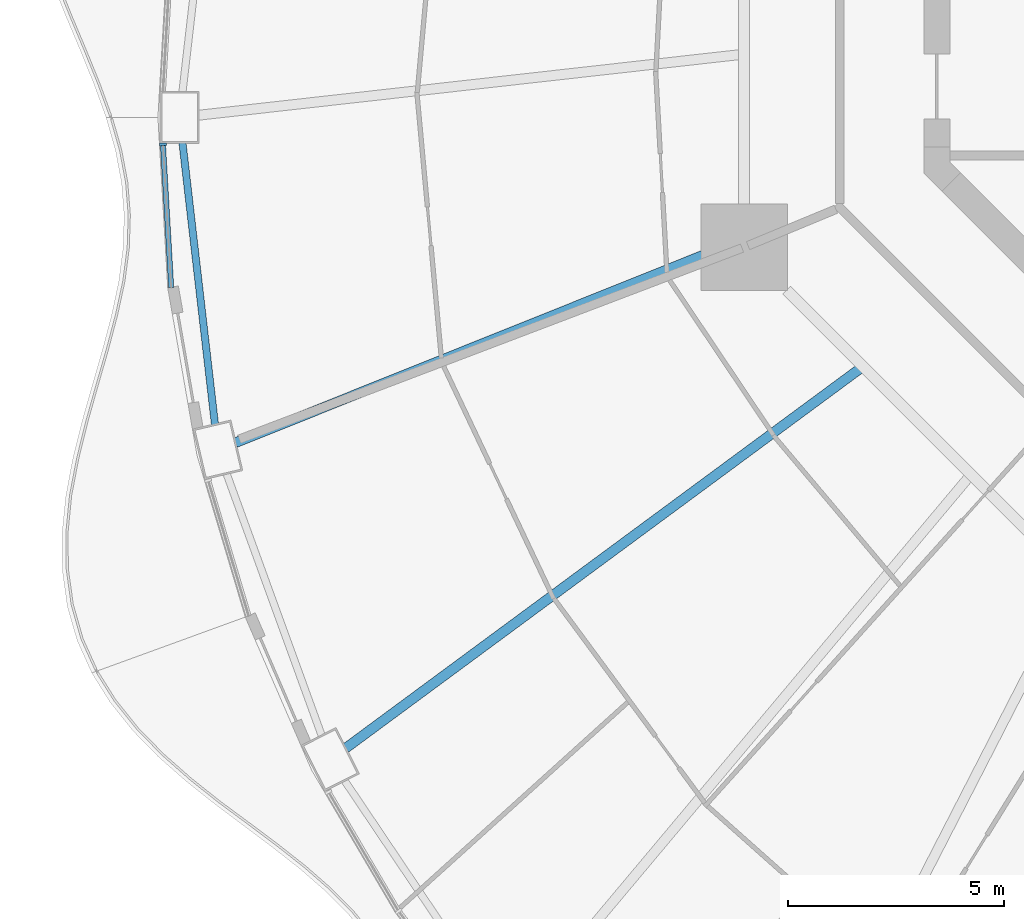
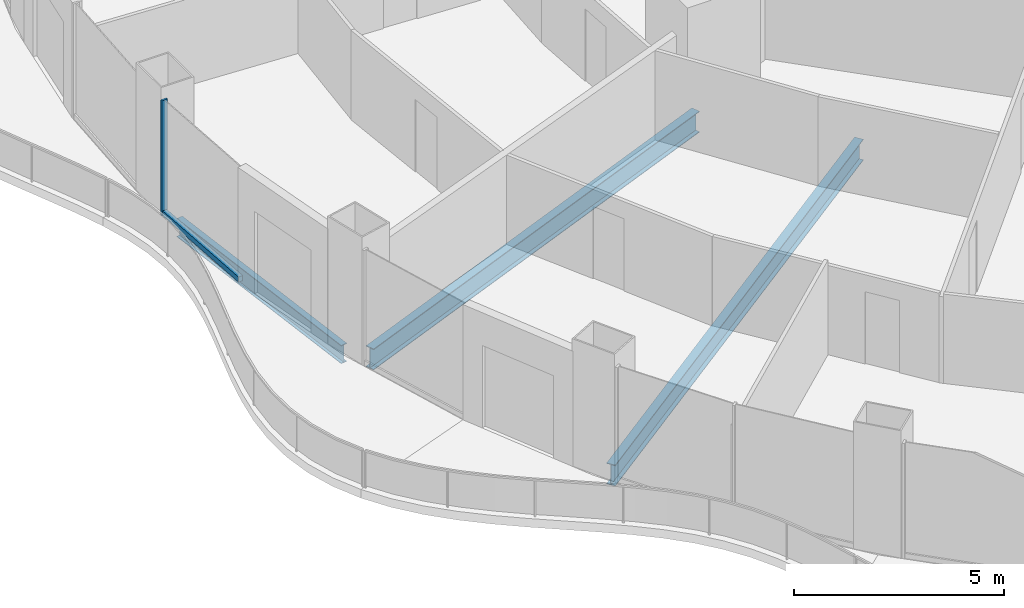
# One storey, part 4 of 21: 3 beams, 2 members, 1 element without a shape of its own.
"""IFC4 building model written with IfcOpenShell, lengths in metres."""

from ifc_helpers import new_model, si_unit, direction, frame, origin, origin_2d, place, context, subcontext, project, spatial, rectangle, i_section, extrude, material, layer, layer_set, material_profile, profile_set, type_object, element, aggregate, save


model = new_model("IFC4")

# Units and contexts
model_context = context("Model", 3, precision=1e-05, world=origin(), true_north=direction((0.0, 1.0)))
body_context = subcontext(model_context, "Body", "Model", "MODEL_VIEW")
ifc_project = project(units=[si_unit("LENGTHUNIT", "METRE"), si_unit("AREAUNIT", "SQUARE_METRE"), si_unit("VOLUMEUNIT", "CUBIC_METRE"), si_unit("PLANEANGLEUNIT", "RADIAN"), si_unit("MASSUNIT", "GRAM", prefix="KILO")], contexts=[model_context])

# Site, building, storey
site_placement = place(None, origin())
site = spatial("IfcSite", under=ifc_project, at=site_placement, CompositionType="ELEMENT")
building_placement = place(site_placement, origin())
building = spatial("IfcBuilding", under=site, at=building_placement, Name="Nagisa Residences", CompositionType="ELEMENT")
storey_placement = place(building_placement, frame((0.0, 0.0, 156.60009765625)))
storey = spatial("IfcBuildingStorey", under=building, at=storey_placement, Name="L39", CompositionType="ELEMENT", Elevation=156.60009765625)

# Curtain wall, members
ifc_material_1 = material(Name="Concrete-coloured aluminium curtain wall system", Category="concrete")
ifc_layer = layer(ifc_material_1, 0.159912109375)
ifc_layer_set = layer_set([ifc_layer], Name="CW1 CURTAIN WALL")
curtain_wall_type = type_object("IfcCurtainWallType", Name="CW1 CURTAIN WALL", PredefinedType="NOTDEFINED", material=ifc_layer_set)
curtain_wall_placement = place(storey_placement, origin())
curtain_wall = element("IfcCurtainWall", 1, at=curtain_wall_placement, inside=storey, type_object=curtain_wall_type, Name="cw:CW1:L39:24", PredefinedType="NOTDEFINED")
ifc_material_2 = material(Name="Concrete-coloured aluminium", Category="concrete")
ifc_material_profile_1 = material_profile(ifc_material_2, rectangle(XDim=0.159912109375, YDim=0.06005859375, at=origin_2d()), Name="CW1 MULLION 160x60")
ifc_profile_set_1 = profile_set([ifc_material_profile_1], Name="Concrete-coloured aluminium")
member_type_1 = type_object("IfcMemberType", Name="CW1 MULLION 160x60", PredefinedType="MULLION", material=ifc_profile_set_1)
member_1_placement = place(storey_placement, frame((-28.218994140625, -3.741943359375, 0.0), z_axis=(0.0, 0.0, 1.0), x_axis=(0.998345305184, 0.057503492216, 0.0)))
member_1 = element("IfcMember", 2, at=member_1_placement, type_object=member_type_1, Name="CW1 mullion", PredefinedType="MULLION", context=body_context, shape_type="SweptSolid", body=[
    extrude(rectangle(XDim=0.159912109375, YDim=0.06005859375, at=origin_2d()), origin(), (0.0, 0.0, 1.0), 3.349853515625),
])
ifc_material_3 = material(Name="Concrete-coloured aluminium", Category="concrete")
ifc_material_profile_2 = material_profile(ifc_material_3, rectangle(XDim=0.1201171875, YDim=0.14990234375, at=origin_2d()), Name="CW1 TRANSOM 120x150")
ifc_profile_set_2 = profile_set([ifc_material_profile_2], Name="Concrete-coloured aluminium")
member_type_2 = type_object("IfcMemberType", Name="CW1 TRANSOM 120x150", PredefinedType="USERDEFINED", material=ifc_profile_set_2)
member_2_placement = place(storey_placement, frame((-28.220703125, -3.712158203125, 0.074951171875), z_axis=(0.057537829427, -0.998343326809, 0.0), x_axis=(0.998343326809, 0.057537829427, 0.0)))
member_2 = element("IfcMember", 3, at=member_2_placement, type_object=member_type_2, Name="CW1 transom", ObjectType="TRANSOM", PredefinedType="USERDEFINED", context=body_context, shape_type="SweptSolid", body=[
    extrude(rectangle(XDim=0.1201171875, YDim=0.14990234375, at=origin_2d()), origin(), (0.0, 0.0, 1.0), 3.347900390625),
])
aggregate(curtain_wall, [member_1, member_2])

# Beams
ifc_material_4 = material(Name="Steel ASTM A572 Gr 50", Category="steel")
ifc_material_profile_3 = material_profile(ifc_material_4, i_section(OverallWidth=0.166015625, OverallDepth=0.534912109375, WebThickness=0.01025390625, FlangeThickness=0.0166015625, at=origin_2d()), Name="W530x85")
ifc_profile_set_3 = profile_set([ifc_material_profile_3], Name="Steel ASTM A572 Gr 50")
beam_type_1 = type_object("IfcBeamType", Name="Perimeter ring beam W530x85", PredefinedType="BEAM", material=ifc_profile_set_3)
beam_1_placement = place(storey_placement, frame((-27.76806640625, -3.69775390625, -0.527587890625), z_axis=(0.114660786771, -0.993404703017, 0.0), x_axis=(0.993404703017, 0.114660786771, 0.0)))
element("IfcBeam", 4, at=beam_1_placement, inside=storey, type_object=beam_type_1, Name="beam:L39:pb13", PredefinedType="BEAM", context=body_context, shape_type="SweptSolid", body=[
    extrude(i_section(OverallWidth=0.166015625, OverallDepth=0.534912109375, WebThickness=0.01025390625, FlangeThickness=0.0166015625, at=origin_2d()), origin(), (0.0, 0.0, 1.0), 6.568603515625),
])
ifc_material_5 = material(Name="Steel ASTM A572 Gr 50", Category="steel")
ifc_material_profile_4 = material_profile(ifc_material_5, i_section(OverallWidth=0.22900390625, OverallDepth=0.612060546875, WebThickness=0.011962890625, FlangeThickness=0.01953125, at=origin_2d()), Name="W610x125")
ifc_profile_set_4 = profile_set([ifc_material_profile_4], Name="Steel ASTM A572 Gr 50")
beam_type_2 = type_object("IfcBeamType", Name="Radial beam W610x125", PredefinedType="BEAM", material=ifc_profile_set_4)
beam_2_placement = place(storey_placement, frame((-26.5439453125, -10.641357421875, -0.566162109375), z_axis=(0.928186733156, 0.372114751648, 0.0), x_axis=(-0.372114751648, 0.928186733156, 0.0)))
element("IfcBeam", 5, at=beam_2_placement, inside=storey, type_object=beam_type_2, Name="beam:L39:rb14", PredefinedType="BEAM", context=body_context, shape_type="SweptSolid", body=[
    extrude(i_section(OverallWidth=0.22900390625, OverallDepth=0.612060546875, WebThickness=0.011962890625, FlangeThickness=0.01953125, at=origin_2d()), origin(), (0.0, 0.0, 1.0), 12.554931640625),
])
beam_3_placement = place(storey_placement, frame((-23.995849609375, -17.7060546875, -0.566162109375), z_axis=(0.804660796299, 0.59373479172, 0.0), x_axis=(-0.59373479172, 0.804660796299, 0.0)))
element("IfcBeam", 6, at=beam_3_placement, inside=storey, type_object=beam_type_2, Name="beam:L39:rb15", PredefinedType="BEAM", context=body_context, shape_type="SweptSolid", body=[
    extrude(i_section(OverallWidth=0.22900390625, OverallDepth=0.612060546875, WebThickness=0.011962890625, FlangeThickness=0.01953125, at=origin_2d()), origin(), (0.0, 0.0, 1.0), 14.763427734375),
])

save(model, "model.ifc")
